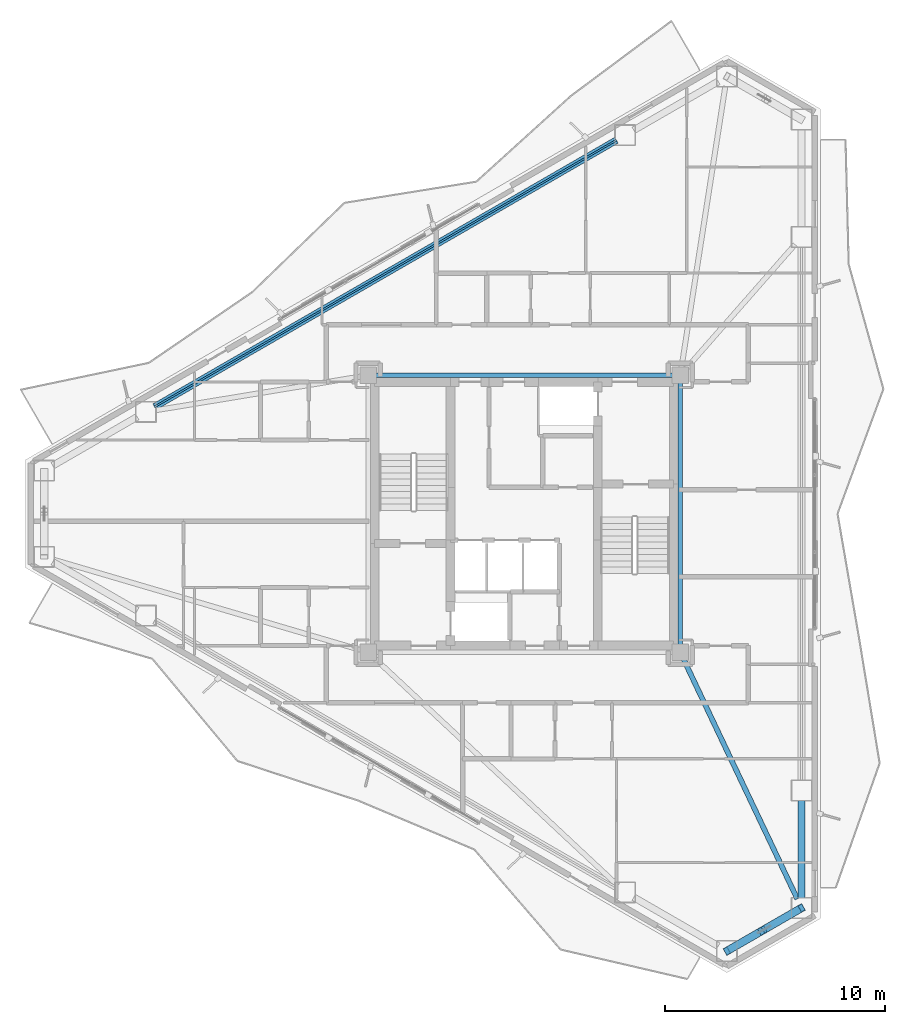
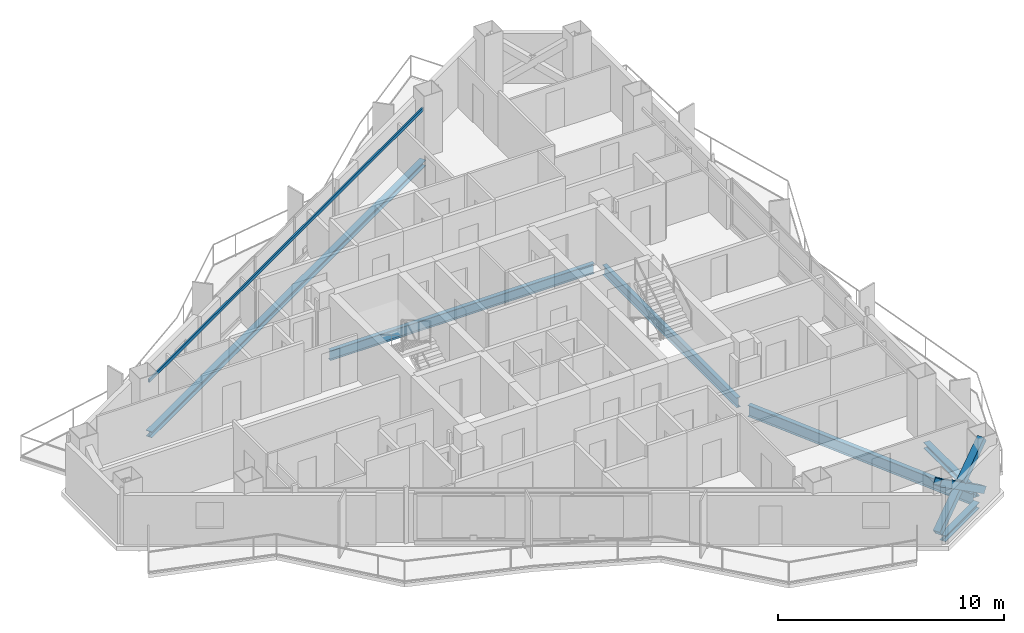
# One storey, part 6 of 19: 7 beams, 3 members.
"""IFC4 building model written with IfcOpenShell, lengths in metres."""

from ifc_helpers import new_model, si_unit, direction, frame, origin, origin_2d, place, context, subcontext, project, spatial, hollow_rectangle, i_section, extrude, material, material_profile, profile_set, type_object, element, save


model = new_model("IFC4")

# Units and contexts
model_context = context("Model", 3, precision=1e-05, world=origin(), true_north=direction((0.0, 1.0)))
body_context = subcontext(model_context, "Body", "Model", "MODEL_VIEW")
ifc_project = project(units=[si_unit("LENGTHUNIT", "METRE"), si_unit("AREAUNIT", "SQUARE_METRE"), si_unit("VOLUMEUNIT", "CUBIC_METRE"), si_unit("PLANEANGLEUNIT", "RADIAN"), si_unit("MASSUNIT", "GRAM", prefix="KILO")], contexts=[model_context])

# Site, building, storey
site_placement = place(None, origin())
site = spatial("IfcSite", under=ifc_project, at=site_placement, CompositionType="ELEMENT")
building_placement = place(site_placement, origin())
building = spatial("IfcBuilding", under=site, at=building_placement, Name="Mersakhor Tower and Convention Hall", CompositionType="ELEMENT")
storey_placement = place(building_placement, frame((0.0, 0.0, 124.5)))
storey = spatial("IfcBuildingStorey", under=building, at=storey_placement, Name="L34", CompositionType="ELEMENT", Elevation=124.5)

# Beams
ifc_material_1 = material(Name="Steel S355", Category="steel")
ifc_material_profile_1 = material_profile(ifc_material_1, i_section(OverallWidth=0.2099609375, OverallDepth=0.53662109375, WebThickness=0.0107421875, FlangeThickness=0.017333984375, at=origin_2d()), Name="UB 533x210x101")
ifc_profile_set_1 = profile_set([ifc_material_profile_1], Name="Steel S355")
beam_type_1 = type_object("IfcBeamType", Name="BM-FB-533", PredefinedType="BEAM", material=ifc_profile_set_1)
beam_1_placement = place(storey_placement, frame((22.2548828125, 33.050048828125, -0.50830078125), z_axis=(1.0, 0.0, 0.0), x_axis=(0.0, 1.0, 0.0)))
element("IfcBeam", 1, at=beam_1_placement, inside=storey, type_object=beam_type_1, Name="L34 Core Ring Tie Beam CRB-2", PredefinedType="BEAM", context=body_context, shape_type="SweptSolid", body=[
    extrude(i_section(OverallWidth=0.2099609375, OverallDepth=0.53662109375, WebThickness=0.0107421875, FlangeThickness=0.017333984375, at=origin_2d()), origin(), (0.0, 0.0, 1.0), 13.490234375),
])
beam_2_placement = place(storey_placement, frame((36.10009765625, 32.695068359375, -0.50830078125), z_axis=(0.0, -1.0, 0.0), x_axis=(1.0, 0.0, 0.0)))
element("IfcBeam", 2, at=beam_2_placement, inside=storey, type_object=beam_type_1, Name="L34 Core Ring Tie Beam CRB-3", PredefinedType="BEAM", context=body_context, shape_type="SweptSolid", body=[
    extrude(i_section(OverallWidth=0.2099609375, OverallDepth=0.53662109375, WebThickness=0.0107421875, FlangeThickness=0.017333984375, at=origin_2d()), origin(), (0.0, 0.0, 1.0), 11.89013671875),
])
ifc_material_2 = material(Name="Steel S355", Category="steel")
ifc_material_profile_2 = material_profile(ifc_material_2, hollow_rectangle(XDim=0.080078125, YDim=0.179931640625, WallThickness=0.008056640625, at=origin_2d()), Name="RHS 180x80x8")
ifc_profile_set_2 = profile_set([ifc_material_profile_2], Name="Steel S355")
beam_type_2 = type_object("IfcBeamType", Name="BM-GRT-RHS180", PredefinedType="USERDEFINED", material=ifc_profile_set_2)
beam_3_placement = place(storey_placement, frame((12.182373046875, 31.61181640625, 2.47998046875), z_axis=(0.866027433267, 0.499996484816, 0.0), x_axis=(-0.499996484816, 0.866027433267, 0.0)))
element("IfcBeam", 3, at=beam_3_placement, inside=storey, type_object=beam_type_2, Name="L34 Facade Support Girt GRT-F1", ObjectType="GIRT", PredefinedType="USERDEFINED", context=body_context, shape_type="SweptSolid", body=[
    extrude(hollow_rectangle(XDim=0.080078125, YDim=0.179931640625, WallThickness=0.008056640625, at=origin_2d()), origin(), (0.0, 0.0, 1.0), 24.267333984375),
])
ifc_material_3 = material(Name="Steel S355", Category="steel")
ifc_material_profile_3 = material_profile(ifc_material_3, i_section(OverallWidth=0.22900390625, OverallDepth=0.6123046875, WebThickness=0.011962890625, FlangeThickness=0.01953125, at=origin_2d()), Name="UB 610x229x125")
ifc_profile_set_3 = profile_set([ifc_material_profile_3], Name="Steel S355")
beam_type_3 = type_object("IfcBeamType", Name="BM-PR-610", PredefinedType="BEAM", material=ifc_profile_set_3)
beam_4_placement = place(storey_placement, frame((36.252197265625, 20.12939453125, -0.546142578125), z_axis=(0.428664675599, -0.903463666061, 0.0), x_axis=(0.903463666061, 0.428664675599, 0.0)))
element("IfcBeam", 4, at=beam_4_placement, inside=storey, type_object=beam_type_3, Name="L34 Primary Floor Girder FG-4", PredefinedType="BEAM", context=body_context, shape_type="SweptSolid", body=[
    extrude(i_section(OverallWidth=0.22900390625, OverallDepth=0.6123046875, WebThickness=0.011962890625, FlangeThickness=0.01953125, at=origin_2d()), origin(), (0.0, 0.0, 1.0), 12.065673828125),
])
ifc_material_4 = material(Name="Steel S355", Category="steel")
ifc_material_profile_4 = material_profile(ifc_material_4, i_section(OverallWidth=0.30908203125, OverallDepth=0.320556640625, WebThickness=0.013916015625, FlangeThickness=0.021728515625, at=origin_2d()), Name="UC 305x305x137")
ifc_profile_set_4 = profile_set([ifc_material_profile_4], Name="Steel S355")
beam_type_4 = type_object("IfcBeamType", Name="BM-SPD-UC305", PredefinedType="SPANDREL", material=ifc_profile_set_4)
beam_5_placement = place(storey_placement, frame((12.182373046875, 31.61181640625, -0.400146484375), z_axis=(0.866027433267, 0.499996484816, 0.0), x_axis=(-0.499996484816, 0.866027433267, 0.0)))
element("IfcBeam", 5, at=beam_5_placement, inside=storey, type_object=beam_type_4, Name="L34 Perimeter Spandrel Beam SPB-02", PredefinedType="SPANDREL", context=body_context, shape_type="SweptSolid", body=[
    extrude(i_section(OverallWidth=0.30908203125, OverallDepth=0.320556640625, WebThickness=0.013916015625, FlangeThickness=0.021728515625, at=origin_2d()), origin(), (0.0, 0.0, 1.0), 24.267333984375),
])
beam_6_placement = place(storey_placement, frame((41.619140625, 13.706298828125, -0.400146484375), z_axis=(0.0, -1.0, 0.0), x_axis=(1.0, 0.0, 0.0)))
element("IfcBeam", 6, at=beam_6_placement, inside=storey, type_object=beam_type_4, Name="L34 Perimeter Spandrel Beam SPB-07", PredefinedType="SPANDREL", context=body_context, shape_type="SweptSolid", body=[
    extrude(i_section(OverallWidth=0.30908203125, OverallDepth=0.320556640625, WebThickness=0.013916015625, FlangeThickness=0.021728515625, at=origin_2d()), origin(), (0.0, 0.0, 1.0), 4.433837890625),
])
beam_7_placement = place(storey_placement, frame((41.22509765625, 8.58984375, -0.400146484375), z_axis=(-0.86604667077, -0.499963162692, 0.0), x_axis=(0.499963162692, -0.86604667077, 0.0)))
element("IfcBeam", 7, at=beam_7_placement, inside=storey, type_object=beam_type_4, Name="L34 Perimeter Spandrel Beam SPB-08", PredefinedType="SPANDREL", context=body_context, shape_type="SweptSolid", body=[
    extrude(i_section(OverallWidth=0.30908203125, OverallDepth=0.320556640625, WebThickness=0.013916015625, FlangeThickness=0.021728515625, at=origin_2d()), origin(), (0.0, 0.0, 1.0), 3.014404296875),
])

# Members
ifc_material_5 = material(Name="Steel S460", Category="steel")
ifc_material_profile_5 = material_profile(ifc_material_5, hollow_rectangle(XDim=0.35009765625, YDim=0.35009765625, WallThickness=0.02001953125, at=origin_2d()), Name="SHS 350x350x20")
ifc_profile_set_5 = profile_set([ifc_material_profile_5], Name="Steel S460")
member_type = type_object("IfcMemberType", Name="MB-BRC-SHS350", PredefinedType="BRACE", material=ifc_profile_set_5)
member_placement = place(storey_placement, frame((41.619140625, 8.8173828125, 0.14990234375), z_axis=(-0.70838533923, -0.408971551713, 0.575267312693), x_axis=(0.499986324622, -0.866033299124, 0.0)))
element("IfcMember", 8, at=member_placement, inside=storey, type_object=member_type, Name="L34 Chamfer Braced Frame Diagonal CB-2A", PredefinedType="BRACE", context=body_context, shape_type="SweptSolid", body=[
    extrude(hollow_rectangle(XDim=0.35009765625, YDim=0.35009765625, WallThickness=0.02001953125, at=origin_2d()), origin(), (0.0, 0.0, 1.0), 4.7978515625),
])
for number, where, z_axis, x_axis, name in (
    (9, (38.220458984375, 6.855224609375, 0.14990234375), (0.708364021879, 0.408986667212, 0.575282816143), (-0.500011469263, 0.866018781901, 0.0), "L34 Chamfer Braced Frame Diagonal CB-2B Lower Half"),
    (10, (40.05712890625, 7.91552734375, 1.6416015625), (0.708409139881, 0.409012716899, 0.575208734242), (-0.500011469263, 0.866018781901, 0.0), "L34 Chamfer Braced Frame Diagonal CB-2B Upper Half"),
):
    element("IfcMember", number, at=place(storey_placement, frame(where, z_axis=z_axis, x_axis=x_axis)), inside=storey, type_object=member_type, Name=name, PredefinedType="BRACE", context=body_context, shape_type="SweptSolid", body=[
        extrude(hollow_rectangle(XDim=0.35009765625, YDim=0.35009765625, WallThickness=0.02001953125, at=origin_2d()), origin(), (0.0, 0.0, 1.0), 2.205078125),
    ])

save(model, "model.ifc")
